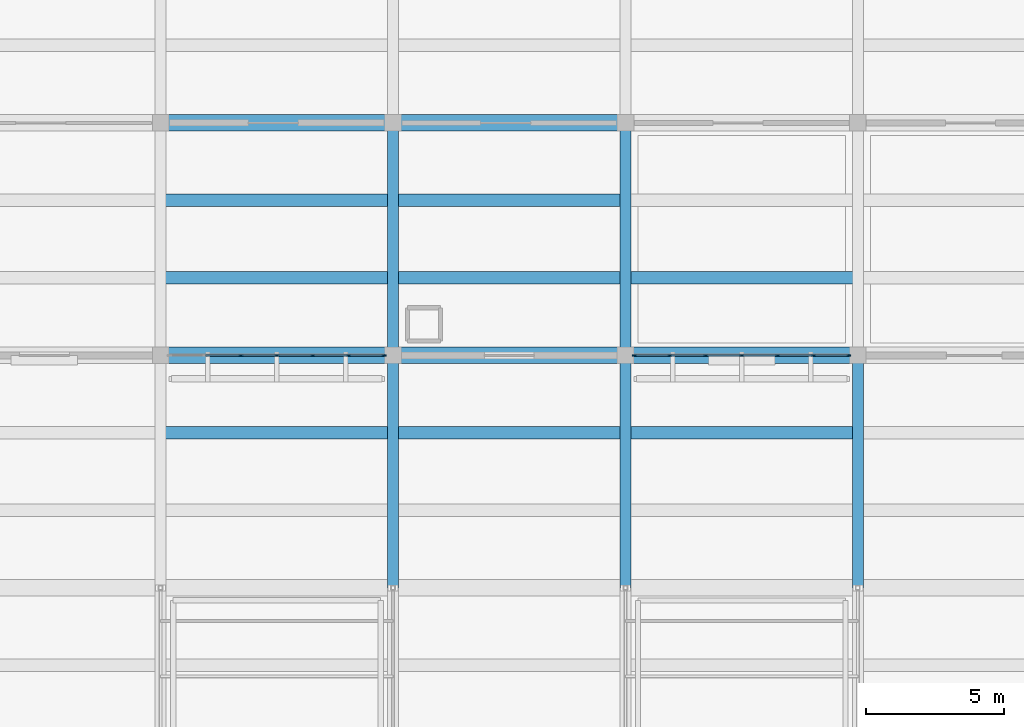
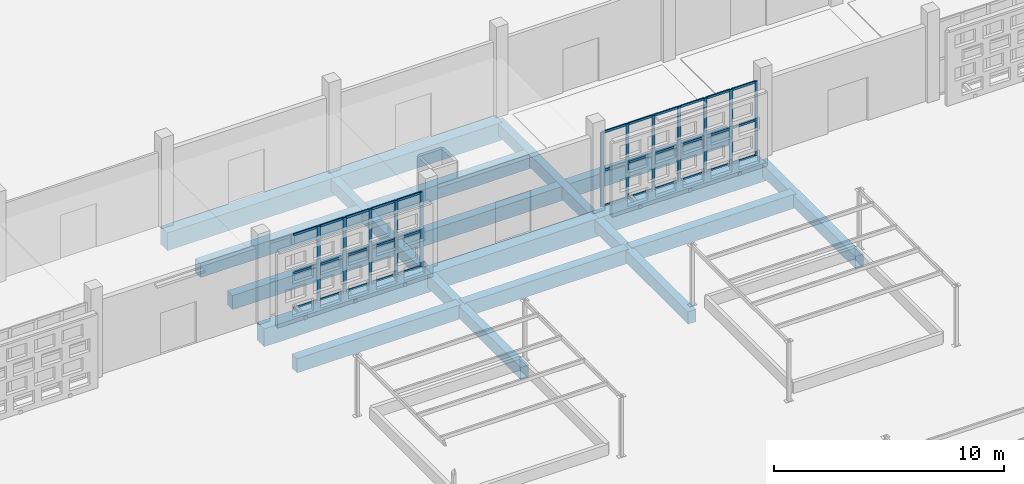
# One storey, part 34 of 129: 45 members, 18 beams, 2 elements without a shape of their own.
"""IFC4 building model written with IfcOpenShell, lengths in metres."""

from ifc_helpers import new_model, si_unit, direction, frame, origin, origin_2d, place, context, subcontext, project, spatial, rectangle, extrude, material, layer, layer_set, material_profile, profile_set, type_object, element, aggregate, save


model = new_model("IFC4")

# Units and contexts
model_context = context("Model", 3, precision=1e-05, world=origin(), true_north=direction((0.0, 1.0)))
body_context = subcontext(model_context, "Body", "Model", "MODEL_VIEW")
ifc_project = project(units=[si_unit("LENGTHUNIT", "METRE"), si_unit("AREAUNIT", "SQUARE_METRE"), si_unit("VOLUMEUNIT", "CUBIC_METRE"), si_unit("PLANEANGLEUNIT", "RADIAN"), si_unit("MASSUNIT", "GRAM", prefix="KILO")], contexts=[model_context])

# Site, building, storey
site_placement = place(None, origin())
site = spatial("IfcSite", under=ifc_project, at=site_placement, CompositionType="ELEMENT")
building_placement = place(site_placement, origin())
building = spatial("IfcBuilding", under=site, at=building_placement, Name="Varnapada Polytechnic", CompositionType="ELEMENT")
storey_placement = place(building_placement, origin())
storey = spatial("IfcBuildingStorey", under=building, at=storey_placement, Name="L00", CompositionType="ELEMENT", Elevation=0.0)

# Beams
ifc_material_1 = material(Name="Concrete C40/50", Category="concrete")
ifc_material_profile_1 = material_profile(ifc_material_1, rectangle(XDim=0.449951171875, YDim=0.75, at=origin_2d()), Name="RC 450x750")
ifc_profile_set_1 = profile_set([ifc_material_profile_1], Name="Concrete C40/50")
beam_type_1 = type_object("IfcBeamType", Name="Basement/podium secondary beam BB-01 (RC 450x750)", PredefinedType="BEAM", material=ifc_profile_set_1)
for number, where, z_axis, x_axis, name in (
    (1, (92.47998046875, 81.199951171875, -0.655029296875), (1.0, 0.0, 0.0), (0.0, 1.0, 0.0), "L00 floor joist 12/10.2"),
    (2, (92.47998046875, 86.800048828125, -0.695068359375), (1.0, 0.0, 0.0), (0.0, 1.0, 0.0), "L00 floor joist 12/11.1"),
    (3, (92.47998046875, 89.60009765625, -0.695068359375), (1.0, 0.0, 0.0), (0.0, 1.0, 0.0), "L00 floor joist 12/11.2"),
):
    element("IfcBeam", number, at=place(storey_placement, frame(where, z_axis=z_axis, x_axis=x_axis)), inside=storey, type_object=beam_type_1, Name=name, PredefinedType="BEAM", context=body_context, shape_type="SweptSolid", body=[
        extrude(rectangle(XDim=0.449951171875, YDim=0.75, at=origin_2d()), origin(), (0.0, 0.0, 1.0), 8.239990234375),
    ])
for number, where, z_axis, x_axis, name in (
    (4, (100.8798828125, 81.199951171875, -0.655029296875), (1.0, 0.0, 0.0), (0.0, 1.0, 0.0), "L00 floor joist 13/10.2"),
    (5, (100.8798828125, 86.800048828125, -0.695068359375), (1.0, 0.0, 0.0), (0.0, 1.0, 0.0), "L00 floor joist 13/11.1"),
    (6, (100.8798828125, 89.60009765625, -0.695068359375), (1.0, 0.0, 0.0), (0.0, 1.0, 0.0), "L00 floor joist 13/11.2"),
):
    element("IfcBeam", number, at=place(storey_placement, frame(where, z_axis=z_axis, x_axis=x_axis)), inside=storey, type_object=beam_type_1, Name=name, PredefinedType="BEAM", context=body_context, shape_type="SweptSolid", body=[
        extrude(rectangle(XDim=0.449951171875, YDim=0.75, at=origin_2d()), origin(), (0.0, 0.0, 1.0), 8.240234375),
    ])
for number, where, z_axis, x_axis, name in (
    (7, (109.280029296875, 81.199951171875, -0.655029296875), (1.0, 0.0, 0.0), (0.0, 1.0, 0.0), "L00 floor joist 14/10.2"),
    (8, (109.280029296875, 86.800048828125, -0.695068359375), (1.0, 0.0, 0.0), (0.0, 1.0, 0.0), "L00 floor joist 14/11.1"),
):
    element("IfcBeam", number, at=place(storey_placement, frame(where, z_axis=z_axis, x_axis=x_axis)), inside=storey, type_object=beam_type_1, Name=name, PredefinedType="BEAM", context=body_context, shape_type="SweptSolid", body=[
        extrude(rectangle(XDim=0.449951171875, YDim=0.75, at=origin_2d()), origin(), (0.0, 0.0, 1.0), 8.239990234375),
    ])

# Curtain wall, members
ifc_material_2 = material(Name="Double low-E laminated glass", Category="glass")
ifc_layer = layer(ifc_material_2, 0.159912109375)
ifc_layer_set = layer_set([ifc_layer], Name="Double low-E laminated glass")
curtain_wall_type = type_object("IfcCurtainWallType", Name="Curtain Wall CW-01", PredefinedType="NOTDEFINED", material=ifc_layer_set)
curtain_wall_1_placement = place(storey_placement, origin())
curtain_wall_1 = element("IfcCurtainWall", 9, at=curtain_wall_1_placement, inside=storey, type_object=curtain_wall_type, Name="L00 unitised curtain wall CW-01 (11)", PredefinedType="NOTDEFINED")
ifc_material_3 = material(Name="Anodised aluminium", Category="aluminium")
ifc_material_profile_2 = material_profile(ifc_material_3, rectangle(XDim=0.06005859375, YDim=0.159912109375, at=origin_2d()), Name="ALU M60x160")
ifc_profile_set_2 = profile_set([ifc_material_profile_2], Name="Anodised aluminium")
member_type_1 = type_object("IfcMemberType", Name="Mullion M-01", PredefinedType="MULLION", material=ifc_profile_set_2)
member_1_placement = place(storey_placement, frame((100.469970703125, 84.0, 0.0), z_axis=(0.0, 0.0, 1.0), x_axis=(0.0, -1.0, 0.0)))
member_1 = element("IfcMember", 10, at=member_1_placement, type_object=member_type_1, Name="CW-01 mullion 1", PredefinedType="MULLION", context=body_context, shape_type="SweptSolid", body=[
    extrude(rectangle(XDim=0.06005859375, YDim=0.159912109375, at=origin_2d()), origin(), (0.0, 0.0, 1.0), 3.9599609375),
])
member_2_placement = place(storey_placement, frame((99.199951171875, 84.0, 0.0), z_axis=(0.0, 0.0, 1.0), x_axis=(0.0, -1.0, 0.0)))
member_2 = element("IfcMember", 11, at=member_2_placement, type_object=member_type_1, Name="CW-01 mullion 2", PredefinedType="MULLION", context=body_context, shape_type="SweptSolid", body=[
    extrude(rectangle(XDim=0.06005859375, YDim=0.159912109375, at=origin_2d()), origin(), (0.0, 0.0, 1.0), 3.9599609375),
])
member_3_placement = place(storey_placement, frame((97.89990234375, 84.0, 0.0), z_axis=(0.0, 0.0, 1.0), x_axis=(0.0, -1.0, 0.0)))
member_3 = element("IfcMember", 12, at=member_3_placement, type_object=member_type_1, Name="CW-01 mullion 3", PredefinedType="MULLION", context=body_context, shape_type="SweptSolid", body=[
    extrude(rectangle(XDim=0.06005859375, YDim=0.159912109375, at=origin_2d()), origin(), (0.0, 0.0, 1.0), 3.9599609375),
])
member_4_placement = place(storey_placement, frame((96.60009765625, 84.0, 0.0), z_axis=(0.0, 0.0, 1.0), x_axis=(0.0, -1.0, 0.0)))
member_4 = element("IfcMember", 13, at=member_4_placement, type_object=member_type_1, Name="CW-01 mullion 4", PredefinedType="MULLION", context=body_context, shape_type="SweptSolid", body=[
    extrude(rectangle(XDim=0.06005859375, YDim=0.159912109375, at=origin_2d()), origin(), (0.0, 0.0, 1.0), 3.9599609375),
])
member_5_placement = place(storey_placement, frame((95.300048828125, 84.0, 0.0), z_axis=(0.0, 0.0, 1.0), x_axis=(0.0, -1.0, 0.0)))
member_5 = element("IfcMember", 14, at=member_5_placement, type_object=member_type_1, Name="CW-01 mullion 5", PredefinedType="MULLION", context=body_context, shape_type="SweptSolid", body=[
    extrude(rectangle(XDim=0.06005859375, YDim=0.159912109375, at=origin_2d()), origin(), (0.0, 0.0, 1.0), 3.9599609375),
])

curtain_wall_2_placement = place(storey_placement, origin())
curtain_wall_2 = element("IfcCurtainWall", 15, at=curtain_wall_2_placement, inside=storey, type_object=curtain_wall_type, Name="L00 unitised curtain wall CW-01 (13)", PredefinedType="NOTDEFINED")
member_6_placement = place(storey_placement, frame((117.27001953125, 84.0, 0.0), z_axis=(0.0, 0.0, 1.0), x_axis=(0.0, -1.0, 0.0)))
member_6 = element("IfcMember", 16, at=member_6_placement, type_object=member_type_1, Name="CW-01 mullion 1", PredefinedType="MULLION", context=body_context, shape_type="SweptSolid", body=[
    extrude(rectangle(XDim=0.06005859375, YDim=0.159912109375, at=origin_2d()), origin(), (0.0, 0.0, 1.0), 3.9599609375),
])
member_7_placement = place(storey_placement, frame((116.0, 84.0, 0.0), z_axis=(0.0, 0.0, 1.0), x_axis=(0.0, -1.0, 0.0)))
member_7 = element("IfcMember", 17, at=member_7_placement, type_object=member_type_1, Name="CW-01 mullion 2", PredefinedType="MULLION", context=body_context, shape_type="SweptSolid", body=[
    extrude(rectangle(XDim=0.06005859375, YDim=0.159912109375, at=origin_2d()), origin(), (0.0, 0.0, 1.0), 3.9599609375),
])
member_8_placement = place(storey_placement, frame((114.699951171875, 84.0, 0.0), z_axis=(0.0, 0.0, 1.0), x_axis=(0.0, -1.0, 0.0)))
member_8 = element("IfcMember", 18, at=member_8_placement, type_object=member_type_1, Name="CW-01 mullion 3", PredefinedType="MULLION", context=body_context, shape_type="SweptSolid", body=[
    extrude(rectangle(XDim=0.06005859375, YDim=0.159912109375, at=origin_2d()), origin(), (0.0, 0.0, 1.0), 3.9599609375),
])
member_9_placement = place(storey_placement, frame((113.39990234375, 84.0, 0.0), z_axis=(0.0, 0.0, 1.0), x_axis=(0.0, -1.0, 0.0)))
member_9 = element("IfcMember", 19, at=member_9_placement, type_object=member_type_1, Name="CW-01 mullion 4", PredefinedType="MULLION", context=body_context, shape_type="SweptSolid", body=[
    extrude(rectangle(XDim=0.06005859375, YDim=0.159912109375, at=origin_2d()), origin(), (0.0, 0.0, 1.0), 3.9599609375),
])
member_10_placement = place(storey_placement, frame((112.10009765625, 84.0, 0.0), z_axis=(0.0, 0.0, 1.0), x_axis=(0.0, -1.0, 0.0)))
member_10 = element("IfcMember", 20, at=member_10_placement, type_object=member_type_1, Name="CW-01 mullion 5", PredefinedType="MULLION", context=body_context, shape_type="SweptSolid", body=[
    extrude(rectangle(XDim=0.06005859375, YDim=0.159912109375, at=origin_2d()), origin(), (0.0, 0.0, 1.0), 3.9599609375),
])
member_11_placement = place(storey_placement, frame((110.800048828125, 84.0, 0.0), z_axis=(0.0, 0.0, 1.0), x_axis=(0.0, -1.0, 0.0)))
member_11 = element("IfcMember", 21, at=member_11_placement, type_object=member_type_1, Name="CW-01 mullion 6", PredefinedType="MULLION", context=body_context, shape_type="SweptSolid", body=[
    extrude(rectangle(XDim=0.06005859375, YDim=0.159912109375, at=origin_2d()), origin(), (0.0, 0.0, 1.0), 3.9599609375),
])
member_12_placement = place(storey_placement, frame((109.530029296875, 84.0, 0.0), z_axis=(0.0, 0.0, 1.0), x_axis=(0.0, -1.0, 0.0)))
member_12 = element("IfcMember", 22, at=member_12_placement, type_object=member_type_1, Name="CW-01 mullion 7", PredefinedType="MULLION", context=body_context, shape_type="SweptSolid", body=[
    extrude(rectangle(XDim=0.06005859375, YDim=0.159912109375, at=origin_2d()), origin(), (0.0, 0.0, 1.0), 3.9599609375),
])

# Beams
ifc_material_profile_3 = material_profile(ifc_material_1, rectangle(XDim=0.39990234375, YDim=0.64990234375, at=origin_2d()), Name="RC 400x650")
ifc_profile_set_3 = profile_set([ifc_material_profile_3], Name="Concrete C40/50")
beam_type_2 = type_object("IfcBeamType", Name="Podium framing beam BB-02 (RC 400x650)", PredefinedType="BEAM", material=ifc_profile_set_3)
for number, where, z_axis, x_axis, name in (
    (23, (100.800048828125, 75.60009765625, -0.64501953125), (0.0, 1.0, 0.0), (-1.0, 0.0, 0.0), "L00 beam Y 10-11 at X13"),
    (24, (100.800048828125, 84.0, -0.64501953125), (0.0, 1.0, 0.0), (-1.0, 0.0, 0.0), "L00 beam Y 11-12 at X13"),
    (25, (109.199951171875, 75.60009765625, -0.64501953125), (0.0, 1.0, 0.0), (-1.0, 0.0, 0.0), "L00 beam Y 10-11 at X14"),
    (26, (109.199951171875, 84.0, -0.64501953125), (0.0, 1.0, 0.0), (-1.0, 0.0, 0.0), "L00 beam Y 11-12 at X14"),
    (27, (117.60009765625, 75.60009765625, -0.64501953125), (0.0, 1.0, 0.0), (-1.0, 0.0, 0.0), "L00 beam Y 10-11 at X15"),
):
    element("IfcBeam", number, at=place(storey_placement, frame(where, z_axis=z_axis, x_axis=x_axis)), inside=storey, type_object=beam_type_2, Name=name, PredefinedType="BEAM", context=body_context, shape_type="SweptSolid", body=[
        extrude(rectangle(XDim=0.39990234375, YDim=0.64990234375, at=origin_2d()), origin(), (0.0, 0.0, 1.0), 8.39990234375),
    ])

# Member
ifc_material_profile_4 = material_profile(ifc_material_3, rectangle(XDim=0.06005859375, YDim=0.1201171875, at=origin_2d()), Name="ALU T60x120")
ifc_profile_set_4 = profile_set([ifc_material_profile_4], Name="Anodised aluminium")
member_type_2 = type_object("IfcMemberType", Name="Transom T-01", PredefinedType="USERDEFINED", material=ifc_profile_set_4)
member_13_placement = place(storey_placement, frame((100.43994140625, 84.0, 0.030029296875), z_axis=(-1.0, 0.0, 0.0), x_axis=(0.0, -1.0, 0.0)))
member_13 = element("IfcMember", 28, at=member_13_placement, type_object=member_type_2, Name="CW-01 transom 1.1", ObjectType="TRANSOM", PredefinedType="USERDEFINED", context=body_context, shape_type="SweptSolid", body=[
    extrude(rectangle(XDim=0.06005859375, YDim=0.1201171875, at=origin_2d()), origin(), (0.0, 0.0, 1.0), 1.2099609375),
])

member_14_placement = place(storey_placement, frame((100.43994140625, 84.0, 1.90087890625), z_axis=(-1.0, 0.0, 0.0), x_axis=(0.0, -1.0, 0.0)))
member_14 = element("IfcMember", 29, at=member_14_placement, type_object=member_type_2, Name="CW-01 transom 1.2", ObjectType="TRANSOM", PredefinedType="USERDEFINED", context=body_context, shape_type="SweptSolid", body=[
    extrude(rectangle(XDim=0.06005859375, YDim=0.1201171875, at=origin_2d()), origin(), (0.0, 0.0, 1.0), 1.2099609375),
])

member_15_placement = place(storey_placement, frame((100.43994140625, 84.0, 3.929931640625), z_axis=(-1.0, 0.0, 0.0), x_axis=(0.0, -1.0, 0.0)))
member_15 = element("IfcMember", 30, at=member_15_placement, type_object=member_type_2, Name="CW-01 transom 1.3", ObjectType="TRANSOM", PredefinedType="USERDEFINED", context=body_context, shape_type="SweptSolid", body=[
    extrude(rectangle(XDim=0.06005859375, YDim=0.1201171875, at=origin_2d()), origin(), (0.0, 0.0, 1.0), 1.2099609375),
])

member_16_placement = place(storey_placement, frame((99.169921875, 84.0, 0.030029296875), z_axis=(-1.0, 0.0, 0.0), x_axis=(0.0, -1.0, 0.0)))
member_16 = element("IfcMember", 31, at=member_16_placement, type_object=member_type_2, Name="CW-01 transom 2.1", ObjectType="TRANSOM", PredefinedType="USERDEFINED", context=body_context, shape_type="SweptSolid", body=[
    extrude(rectangle(XDim=0.06005859375, YDim=0.1201171875, at=origin_2d()), origin(), (0.0, 0.0, 1.0), 1.239990234375),
])

member_17_placement = place(storey_placement, frame((99.169921875, 84.0, 1.90087890625), z_axis=(-1.0, 0.0, 0.0), x_axis=(0.0, -1.0, 0.0)))
member_17 = element("IfcMember", 32, at=member_17_placement, type_object=member_type_2, Name="CW-01 transom 2.2", ObjectType="TRANSOM", PredefinedType="USERDEFINED", context=body_context, shape_type="SweptSolid", body=[
    extrude(rectangle(XDim=0.06005859375, YDim=0.1201171875, at=origin_2d()), origin(), (0.0, 0.0, 1.0), 1.239990234375),
])

member_18_placement = place(storey_placement, frame((99.169921875, 84.0, 3.929931640625), z_axis=(-1.0, 0.0, 0.0), x_axis=(0.0, -1.0, 0.0)))
member_18 = element("IfcMember", 33, at=member_18_placement, type_object=member_type_2, Name="CW-01 transom 2.3", ObjectType="TRANSOM", PredefinedType="USERDEFINED", context=body_context, shape_type="SweptSolid", body=[
    extrude(rectangle(XDim=0.06005859375, YDim=0.1201171875, at=origin_2d()), origin(), (0.0, 0.0, 1.0), 1.239990234375),
])

member_19_placement = place(storey_placement, frame((97.8701171875, 84.0, 0.030029296875), z_axis=(-1.0, 0.0, 0.0), x_axis=(0.0, -1.0, 0.0)))
member_19 = element("IfcMember", 34, at=member_19_placement, type_object=member_type_2, Name="CW-01 transom 3.1", ObjectType="TRANSOM", PredefinedType="USERDEFINED", context=body_context, shape_type="SweptSolid", body=[
    extrude(rectangle(XDim=0.06005859375, YDim=0.1201171875, at=origin_2d()), origin(), (0.0, 0.0, 1.0), 1.240234375),
])

member_20_placement = place(storey_placement, frame((97.8701171875, 84.0, 1.90087890625), z_axis=(-1.0, 0.0, 0.0), x_axis=(0.0, -1.0, 0.0)))
member_20 = element("IfcMember", 35, at=member_20_placement, type_object=member_type_2, Name="CW-01 transom 3.2", ObjectType="TRANSOM", PredefinedType="USERDEFINED", context=body_context, shape_type="SweptSolid", body=[
    extrude(rectangle(XDim=0.06005859375, YDim=0.1201171875, at=origin_2d()), origin(), (0.0, 0.0, 1.0), 1.240234375),
])

member_21_placement = place(storey_placement, frame((97.8701171875, 84.0, 3.929931640625), z_axis=(-1.0, 0.0, 0.0), x_axis=(0.0, -1.0, 0.0)))
member_21 = element("IfcMember", 36, at=member_21_placement, type_object=member_type_2, Name="CW-01 transom 3.3", ObjectType="TRANSOM", PredefinedType="USERDEFINED", context=body_context, shape_type="SweptSolid", body=[
    extrude(rectangle(XDim=0.06005859375, YDim=0.1201171875, at=origin_2d()), origin(), (0.0, 0.0, 1.0), 1.240234375),
])

member_22_placement = place(storey_placement, frame((96.570068359375, 84.0, 0.030029296875), z_axis=(-1.0, 0.0, 0.0), x_axis=(0.0, -1.0, 0.0)))
member_22 = element("IfcMember", 37, at=member_22_placement, type_object=member_type_2, Name="CW-01 transom 4.1", ObjectType="TRANSOM", PredefinedType="USERDEFINED", context=body_context, shape_type="SweptSolid", body=[
    extrude(rectangle(XDim=0.06005859375, YDim=0.1201171875, at=origin_2d()), origin(), (0.0, 0.0, 1.0), 1.239990234375),
])

member_23_placement = place(storey_placement, frame((96.570068359375, 84.0, 1.90087890625), z_axis=(-1.0, 0.0, 0.0), x_axis=(0.0, -1.0, 0.0)))
member_23 = element("IfcMember", 38, at=member_23_placement, type_object=member_type_2, Name="CW-01 transom 4.2", ObjectType="TRANSOM", PredefinedType="USERDEFINED", context=body_context, shape_type="SweptSolid", body=[
    extrude(rectangle(XDim=0.06005859375, YDim=0.1201171875, at=origin_2d()), origin(), (0.0, 0.0, 1.0), 1.239990234375),
])

member_24_placement = place(storey_placement, frame((96.570068359375, 84.0, 3.929931640625), z_axis=(-1.0, 0.0, 0.0), x_axis=(0.0, -1.0, 0.0)))
member_24 = element("IfcMember", 39, at=member_24_placement, type_object=member_type_2, Name="CW-01 transom 4.3", ObjectType="TRANSOM", PredefinedType="USERDEFINED", context=body_context, shape_type="SweptSolid", body=[
    extrude(rectangle(XDim=0.06005859375, YDim=0.1201171875, at=origin_2d()), origin(), (0.0, 0.0, 1.0), 1.239990234375),
])

member_25_placement = place(storey_placement, frame((95.27001953125, 84.0, 0.030029296875), z_axis=(-1.0, 0.0, 0.0), x_axis=(0.0, -1.0, 0.0)))
member_25 = element("IfcMember", 40, at=member_25_placement, type_object=member_type_2, Name="CW-01 transom 5.1", ObjectType="TRANSOM", PredefinedType="USERDEFINED", context=body_context, shape_type="SweptSolid", body=[
    extrude(rectangle(XDim=0.06005859375, YDim=0.1201171875, at=origin_2d()), origin(), (0.0, 0.0, 1.0), 1.239990234375),
])

member_26_placement = place(storey_placement, frame((95.27001953125, 84.0, 1.90087890625), z_axis=(-1.0, 0.0, 0.0), x_axis=(0.0, -1.0, 0.0)))
member_26 = element("IfcMember", 41, at=member_26_placement, type_object=member_type_2, Name="CW-01 transom 5.2", ObjectType="TRANSOM", PredefinedType="USERDEFINED", context=body_context, shape_type="SweptSolid", body=[
    extrude(rectangle(XDim=0.06005859375, YDim=0.1201171875, at=origin_2d()), origin(), (0.0, 0.0, 1.0), 1.239990234375),
])

member_27_placement = place(storey_placement, frame((95.27001953125, 84.0, 3.929931640625), z_axis=(-1.0, 0.0, 0.0), x_axis=(0.0, -1.0, 0.0)))
member_27 = element("IfcMember", 42, at=member_27_placement, type_object=member_type_2, Name="CW-01 transom 5.3", ObjectType="TRANSOM", PredefinedType="USERDEFINED", context=body_context, shape_type="SweptSolid", body=[
    extrude(rectangle(XDim=0.06005859375, YDim=0.1201171875, at=origin_2d()), origin(), (0.0, 0.0, 1.0), 1.239990234375),
])

aggregate(curtain_wall_1, [member_1, member_2, member_3, member_4, member_5, member_13, member_14, member_15, member_16, member_17, member_18, member_19, member_20, member_21, member_22, member_23, member_24, member_25, member_26, member_27])

member_28_placement = place(storey_placement, frame((117.239990234375, 84.0, 0.030029296875), z_axis=(-1.0, 0.0, 0.0), x_axis=(0.0, -1.0, 0.0)))
member_28 = element("IfcMember", 43, at=member_28_placement, type_object=member_type_2, Name="CW-01 transom 1.1", ObjectType="TRANSOM", PredefinedType="USERDEFINED", context=body_context, shape_type="SweptSolid", body=[
    extrude(rectangle(XDim=0.06005859375, YDim=0.1201171875, at=origin_2d()), origin(), (0.0, 0.0, 1.0), 1.2099609375),
])

member_29_placement = place(storey_placement, frame((117.239990234375, 84.0, 1.90087890625), z_axis=(-1.0, 0.0, 0.0), x_axis=(0.0, -1.0, 0.0)))
member_29 = element("IfcMember", 44, at=member_29_placement, type_object=member_type_2, Name="CW-01 transom 1.2", ObjectType="TRANSOM", PredefinedType="USERDEFINED", context=body_context, shape_type="SweptSolid", body=[
    extrude(rectangle(XDim=0.06005859375, YDim=0.1201171875, at=origin_2d()), origin(), (0.0, 0.0, 1.0), 1.2099609375),
])

member_30_placement = place(storey_placement, frame((117.239990234375, 84.0, 3.929931640625), z_axis=(-1.0, 0.0, 0.0), x_axis=(0.0, -1.0, 0.0)))
member_30 = element("IfcMember", 45, at=member_30_placement, type_object=member_type_2, Name="CW-01 transom 1.3", ObjectType="TRANSOM", PredefinedType="USERDEFINED", context=body_context, shape_type="SweptSolid", body=[
    extrude(rectangle(XDim=0.06005859375, YDim=0.1201171875, at=origin_2d()), origin(), (0.0, 0.0, 1.0), 1.2099609375),
])

member_31_placement = place(storey_placement, frame((115.969970703125, 84.0, 0.030029296875), z_axis=(-1.0, 0.0, 0.0), x_axis=(0.0, -1.0, 0.0)))
member_31 = element("IfcMember", 46, at=member_31_placement, type_object=member_type_2, Name="CW-01 transom 2.1", ObjectType="TRANSOM", PredefinedType="USERDEFINED", context=body_context, shape_type="SweptSolid", body=[
    extrude(rectangle(XDim=0.06005859375, YDim=0.1201171875, at=origin_2d()), origin(), (0.0, 0.0, 1.0), 1.239990234375),
])

member_32_placement = place(storey_placement, frame((115.969970703125, 84.0, 1.90087890625), z_axis=(-1.0, 0.0, 0.0), x_axis=(0.0, -1.0, 0.0)))
member_32 = element("IfcMember", 47, at=member_32_placement, type_object=member_type_2, Name="CW-01 transom 2.2", ObjectType="TRANSOM", PredefinedType="USERDEFINED", context=body_context, shape_type="SweptSolid", body=[
    extrude(rectangle(XDim=0.06005859375, YDim=0.1201171875, at=origin_2d()), origin(), (0.0, 0.0, 1.0), 1.239990234375),
])

member_33_placement = place(storey_placement, frame((115.969970703125, 84.0, 3.929931640625), z_axis=(-1.0, 0.0, 0.0), x_axis=(0.0, -1.0, 0.0)))
member_33 = element("IfcMember", 48, at=member_33_placement, type_object=member_type_2, Name="CW-01 transom 2.3", ObjectType="TRANSOM", PredefinedType="USERDEFINED", context=body_context, shape_type="SweptSolid", body=[
    extrude(rectangle(XDim=0.06005859375, YDim=0.1201171875, at=origin_2d()), origin(), (0.0, 0.0, 1.0), 1.239990234375),
])

member_34_placement = place(storey_placement, frame((114.669921875, 84.0, 0.030029296875), z_axis=(-1.0, 0.0, 0.0), x_axis=(0.0, -1.0, 0.0)))
member_34 = element("IfcMember", 49, at=member_34_placement, type_object=member_type_2, Name="CW-01 transom 3.1", ObjectType="TRANSOM", PredefinedType="USERDEFINED", context=body_context, shape_type="SweptSolid", body=[
    extrude(rectangle(XDim=0.06005859375, YDim=0.1201171875, at=origin_2d()), origin(), (0.0, 0.0, 1.0), 1.239990234375),
])

member_35_placement = place(storey_placement, frame((114.669921875, 84.0, 1.90087890625), z_axis=(-1.0, 0.0, 0.0), x_axis=(0.0, -1.0, 0.0)))
member_35 = element("IfcMember", 50, at=member_35_placement, type_object=member_type_2, Name="CW-01 transom 3.2", ObjectType="TRANSOM", PredefinedType="USERDEFINED", context=body_context, shape_type="SweptSolid", body=[
    extrude(rectangle(XDim=0.06005859375, YDim=0.1201171875, at=origin_2d()), origin(), (0.0, 0.0, 1.0), 1.239990234375),
])

member_36_placement = place(storey_placement, frame((114.669921875, 84.0, 3.929931640625), z_axis=(-1.0, 0.0, 0.0), x_axis=(0.0, -1.0, 0.0)))
member_36 = element("IfcMember", 51, at=member_36_placement, type_object=member_type_2, Name="CW-01 transom 3.3", ObjectType="TRANSOM", PredefinedType="USERDEFINED", context=body_context, shape_type="SweptSolid", body=[
    extrude(rectangle(XDim=0.06005859375, YDim=0.1201171875, at=origin_2d()), origin(), (0.0, 0.0, 1.0), 1.239990234375),
])

member_37_placement = place(storey_placement, frame((113.3701171875, 84.0, 0.030029296875), z_axis=(-1.0, 0.0, 0.0), x_axis=(0.0, -1.0, 0.0)))
member_37 = element("IfcMember", 52, at=member_37_placement, type_object=member_type_2, Name="CW-01 transom 4.1", ObjectType="TRANSOM", PredefinedType="USERDEFINED", context=body_context, shape_type="SweptSolid", body=[
    extrude(rectangle(XDim=0.06005859375, YDim=0.1201171875, at=origin_2d()), origin(), (0.0, 0.0, 1.0), 1.240234375),
])

member_38_placement = place(storey_placement, frame((113.3701171875, 84.0, 1.90087890625), z_axis=(-1.0, 0.0, 0.0), x_axis=(0.0, -1.0, 0.0)))
member_38 = element("IfcMember", 53, at=member_38_placement, type_object=member_type_2, Name="CW-01 transom 4.2", ObjectType="TRANSOM", PredefinedType="USERDEFINED", context=body_context, shape_type="SweptSolid", body=[
    extrude(rectangle(XDim=0.06005859375, YDim=0.1201171875, at=origin_2d()), origin(), (0.0, 0.0, 1.0), 1.240234375),
])

member_39_placement = place(storey_placement, frame((113.3701171875, 84.0, 3.929931640625), z_axis=(-1.0, 0.0, 0.0), x_axis=(0.0, -1.0, 0.0)))
member_39 = element("IfcMember", 54, at=member_39_placement, type_object=member_type_2, Name="CW-01 transom 4.3", ObjectType="TRANSOM", PredefinedType="USERDEFINED", context=body_context, shape_type="SweptSolid", body=[
    extrude(rectangle(XDim=0.06005859375, YDim=0.1201171875, at=origin_2d()), origin(), (0.0, 0.0, 1.0), 1.240234375),
])

member_40_placement = place(storey_placement, frame((112.070068359375, 84.0, 0.030029296875), z_axis=(-1.0, 0.0, 0.0), x_axis=(0.0, -1.0, 0.0)))
member_40 = element("IfcMember", 55, at=member_40_placement, type_object=member_type_2, Name="CW-01 transom 5.1", ObjectType="TRANSOM", PredefinedType="USERDEFINED", context=body_context, shape_type="SweptSolid", body=[
    extrude(rectangle(XDim=0.06005859375, YDim=0.1201171875, at=origin_2d()), origin(), (0.0, 0.0, 1.0), 1.239990234375),
])

member_41_placement = place(storey_placement, frame((112.070068359375, 84.0, 1.90087890625), z_axis=(-1.0, 0.0, 0.0), x_axis=(0.0, -1.0, 0.0)))
member_41 = element("IfcMember", 56, at=member_41_placement, type_object=member_type_2, Name="CW-01 transom 5.2", ObjectType="TRANSOM", PredefinedType="USERDEFINED", context=body_context, shape_type="SweptSolid", body=[
    extrude(rectangle(XDim=0.06005859375, YDim=0.1201171875, at=origin_2d()), origin(), (0.0, 0.0, 1.0), 1.239990234375),
])

member_42_placement = place(storey_placement, frame((112.070068359375, 84.0, 3.929931640625), z_axis=(-1.0, 0.0, 0.0), x_axis=(0.0, -1.0, 0.0)))
member_42 = element("IfcMember", 57, at=member_42_placement, type_object=member_type_2, Name="CW-01 transom 5.3", ObjectType="TRANSOM", PredefinedType="USERDEFINED", context=body_context, shape_type="SweptSolid", body=[
    extrude(rectangle(XDim=0.06005859375, YDim=0.1201171875, at=origin_2d()), origin(), (0.0, 0.0, 1.0), 1.239990234375),
])

member_43_placement = place(storey_placement, frame((110.77001953125, 84.0, 0.030029296875), z_axis=(-1.0, 0.0, 0.0), x_axis=(0.0, -1.0, 0.0)))
member_43 = element("IfcMember", 58, at=member_43_placement, type_object=member_type_2, Name="CW-01 transom 6.1", ObjectType="TRANSOM", PredefinedType="USERDEFINED", context=body_context, shape_type="SweptSolid", body=[
    extrude(rectangle(XDim=0.06005859375, YDim=0.1201171875, at=origin_2d()), origin(), (0.0, 0.0, 1.0), 1.2099609375),
])

member_44_placement = place(storey_placement, frame((110.77001953125, 84.0, 1.90087890625), z_axis=(-1.0, 0.0, 0.0), x_axis=(0.0, -1.0, 0.0)))
member_44 = element("IfcMember", 59, at=member_44_placement, type_object=member_type_2, Name="CW-01 transom 6.2", ObjectType="TRANSOM", PredefinedType="USERDEFINED", context=body_context, shape_type="SweptSolid", body=[
    extrude(rectangle(XDim=0.06005859375, YDim=0.1201171875, at=origin_2d()), origin(), (0.0, 0.0, 1.0), 1.2099609375),
])

member_45_placement = place(storey_placement, frame((110.77001953125, 84.0, 3.929931640625), z_axis=(-1.0, 0.0, 0.0), x_axis=(0.0, -1.0, 0.0)))
member_45 = element("IfcMember", 60, at=member_45_placement, type_object=member_type_2, Name="CW-01 transom 6.3", ObjectType="TRANSOM", PredefinedType="USERDEFINED", context=body_context, shape_type="SweptSolid", body=[
    extrude(rectangle(XDim=0.06005859375, YDim=0.1201171875, at=origin_2d()), origin(), (0.0, 0.0, 1.0), 1.2099609375),
])

aggregate(curtain_wall_2, [member_6, member_7, member_8, member_9, member_10, member_11, member_12, member_28, member_29, member_30, member_31, member_32, member_33, member_34, member_35, member_36, member_37, member_38, member_39, member_40, member_41, member_42, member_43, member_44, member_45])

# Beams
ifc_material_profile_5 = material_profile(ifc_material_1, rectangle(XDim=0.60009765625, YDim=0.949951171875, at=origin_2d()), Name="RC 600x950")
ifc_profile_set_5 = profile_set([ifc_material_profile_5], Name="Concrete C40/50")
beam_type_3 = type_object("IfcBeamType", Name="Workshop podium heavy girder BG-03 (RC 600x950)", PredefinedType="T_BEAM", material=ifc_profile_set_5)
for number, where, z_axis, x_axis, name in (
    (61, (92.39990234375, 84.0, -0.794921875), (1.0, 0.0, 0.0), (0.0, 1.0, 0.0), "L00 beam X 12-13 at Y11"),
    (62, (92.39990234375, 92.39990234375, -0.794921875), (1.0, 0.0, 0.0), (0.0, 1.0, 0.0), "L00 beam X 12-13 at Y12"),
):
    element("IfcBeam", number, at=place(storey_placement, frame(where, z_axis=z_axis, x_axis=x_axis)), inside=storey, type_object=beam_type_3, Name=name, PredefinedType="T_BEAM", context=body_context, shape_type="SweptSolid", body=[
        extrude(rectangle(XDim=0.60009765625, YDim=0.949951171875, at=origin_2d()), origin(), (0.0, 0.0, 1.0), 8.400146484375),
    ])
for number, where, z_axis, x_axis, name in (
    (63, (100.800048828125, 84.0, -0.794921875), (1.0, 0.0, 0.0), (0.0, 1.0, 0.0), "L00 beam X 13-14 at Y11"),
    (64, (100.800048828125, 92.39990234375, -0.794921875), (1.0, 0.0, 0.0), (0.0, 1.0, 0.0), "L00 beam X 13-14 at Y12"),
):
    element("IfcBeam", number, at=place(storey_placement, frame(where, z_axis=z_axis, x_axis=x_axis)), inside=storey, type_object=beam_type_3, Name=name, PredefinedType="T_BEAM", context=body_context, shape_type="SweptSolid", body=[
        extrude(rectangle(XDim=0.60009765625, YDim=0.949951171875, at=origin_2d()), origin(), (0.0, 0.0, 1.0), 8.39990234375),
    ])
beam_placement = place(storey_placement, frame((109.199951171875, 84.0, -0.794921875), z_axis=(1.0, 0.0, 0.0), x_axis=(0.0, 1.0, 0.0)))
element("IfcBeam", 65, at=beam_placement, inside=storey, type_object=beam_type_3, Name="L00 beam X 14-15 at Y11", PredefinedType="T_BEAM", context=body_context, shape_type="SweptSolid", body=[
    extrude(rectangle(XDim=0.60009765625, YDim=0.949951171875, at=origin_2d()), origin(), (0.0, 0.0, 1.0), 8.400146484375),
])

save(model, "model.ifc")
